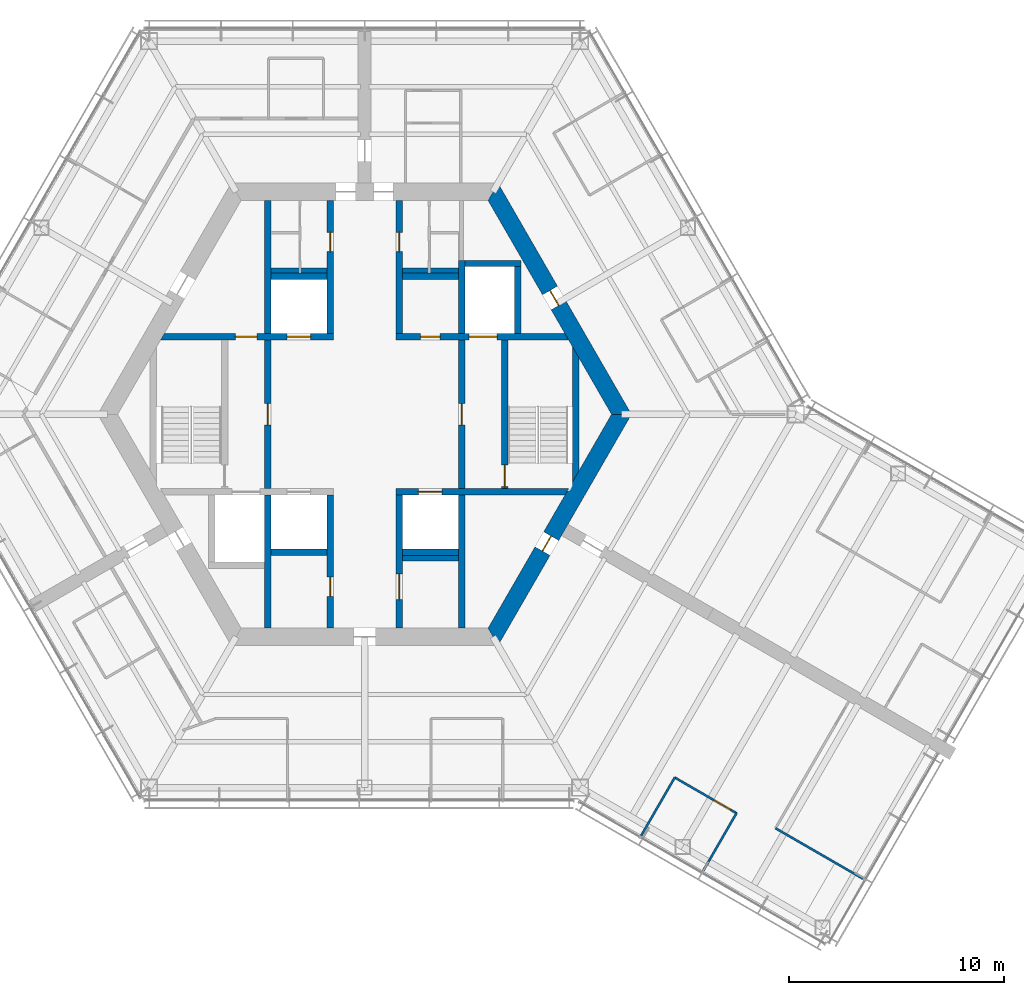
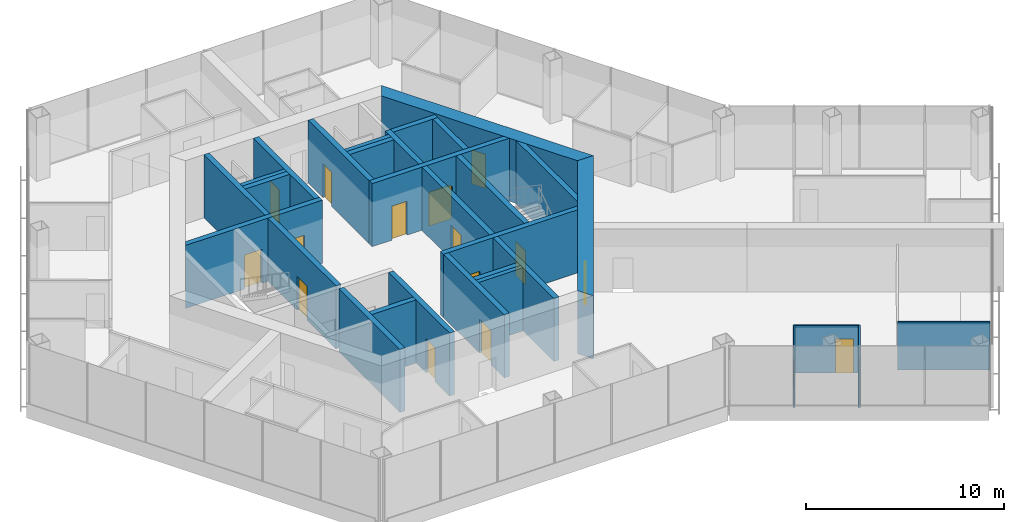
# One storey, part 11 of 16: 30 walls, 15 doors, 15 openings.
"""IFC4 building model written with IfcOpenShell, lengths in metres."""

from ifc_helpers import new_model, si_unit, direction, frame, frame_2d, origin, place, context, subcontext, project, spatial, polyline, rectangle, outline, extrude, material, layer, layer_set, type_object, element, fill, save


model = new_model("IFC4")

# Units and contexts
model_context = context("Model", 3, precision=1e-05, world=origin(), true_north=direction((0.0, 1.0)))
body_context = subcontext(model_context, "Body", "Model", "MODEL_VIEW")
ifc_project = project(units=[si_unit("LENGTHUNIT", "METRE"), si_unit("AREAUNIT", "SQUARE_METRE"), si_unit("VOLUMEUNIT", "CUBIC_METRE"), si_unit("PLANEANGLEUNIT", "RADIAN"), si_unit("MASSUNIT", "GRAM", prefix="KILO")], contexts=[model_context])

# Site, building, storey
site_placement = place(None, origin())
site = spatial("IfcSite", under=ifc_project, at=site_placement, CompositionType="ELEMENT")
building_placement = place(site_placement, origin())
building = spatial("IfcBuilding", under=site, at=building_placement, Name="Kasaneha Research Tower", CompositionType="ELEMENT")
storey_placement = place(building_placement, frame((0.0, 0.0, 255.699951171875)))
storey = spatial("IfcBuildingStorey", under=building, at=storey_placement, Name="L64", CompositionType="ELEMENT", Elevation=255.699951171875)

# Wall, openings, doors
ifc_material_1 = material(Name="Concrete Fc60", Category="concrete")
ifc_layer_1 = layer(ifc_material_1, 0.300048828125)
ifc_layer_set_1 = layer_set([ifc_layer_1], Name="Core internal wall 300 Fc60")
wall_type_1 = type_object("IfcWallType", Name="Core internal wall 300 Fc60", PredefinedType="SHEAR", material=ifc_layer_set_1)
wall_1_placement = place(storey_placement, frame((-9.3818359375, 3.60009765625, 0.0), z_axis=(0.0, 0.0, 1.0), x_axis=(1.0, 0.0, 0.0)))
wall_1 = element("IfcWall", 1, at=wall_1_placement, inside=storey, type_object=wall_type_1, Name="Core wall W1W L64", PredefinedType="SHEAR", context=body_context, shape_type="SweptSolid", body=[
    extrude(outline(polyline([(-0.086669921875, -0.14990234375), (3.3818359375, -0.14990234375), (4.3818359375, -0.14990234375), (5.781982421875, -0.14990234375), (6.882080078125, -0.14990234375), (7.931884765625, -0.14990234375), (7.931884765625, 0.14990234375), (6.882080078125, 0.14990234375), (5.781982421875, 0.14990234375), (4.3818359375, 0.14990234375), (3.3818359375, 0.14990234375), (0.086669921875, 0.14990234375), (-0.086669921875, -0.14990234375)])), origin(), (0.0, 0.0, 1.0), 3.900146484375),
])
opening_1_placement = place(wall_1_placement, frame((3.3818359375, 0.0, 0.0)))
opening_1 = element("IfcOpeningElement", 2, at=opening_1_placement, cuts=wall_1, Name="Opening L64-D12", PredefinedType="OPENING", context=body_context, shape_type="SweptSolid", body=[
    extrude(rectangle(XDim=1.0, YDim=2.10009765625, at=frame_2d((0.5, 1.050048828125))), frame((0.0, 0.16015625, 0.0), z_axis=(0.0, -1.0, 0.0), x_axis=(1.0, 0.0, 0.0)), (0.0, 0.0, 1.0), 0.320068359375),
])
opening_2_placement = place(wall_1_placement, frame((5.781982421875, 0.0, 0.0)))
opening_2 = element("IfcOpeningElement", 3, at=opening_2_placement, cuts=wall_1, Name="Opening LD-LH2-L64", PredefinedType="OPENING", context=body_context, shape_type="SweptSolid", body=[
    extrude(rectangle(XDim=1.10009765625, YDim=2.10009765625, at=frame_2d((0.550048828125, 1.050048828125))), frame((0.0, 0.16015625, 0.0), z_axis=(0.0, -1.0, 0.0), x_axis=(1.0, 0.0, 0.0)), (0.0, 0.0, 1.0), 0.320068359375),
])
ifc_material_2 = material(Name="Steel", Category="steel")
door_type_1 = type_object("IfcDoorType", Name="Lift landing door 1100x2100", OperationType="DOUBLE_DOOR_SLIDING", PredefinedType="DOOR", material=ifc_material_2)
door_1_placement = place(opening_2_placement, origin())
door_1 = element("IfcDoor", 4, at=door_1_placement, inside=storey, type_object=door_type_1, Name="Landing door LH2 LD-LH2-L64", OperationType="DOUBLE_DOOR_SLIDING", OverallHeight=2.10009765625, OverallWidth=1.10009765625, PredefinedType="DOOR", context=body_context, shape_type="SweptSolid", body=[
    extrude(rectangle(XDim=1.10009765625, YDim=2.10009765625, at=frame_2d((0.550048828125, 1.050048828125))), frame((0.0, 0.02490234375, 0.0), z_axis=(0.0, -1.0, 0.0), x_axis=(1.0, 0.0, 0.0)), (0.0, 0.0, 1.0), 0.050048828125),
])
fill(opening_2, door_1)
ifc_material_3 = material(Name="Steel", Category="steel")
door_type_2 = type_object("IfcDoorType", Name="Specified fire door FD60 1000x2100", OperationType="NOTDEFINED", PredefinedType="DOOR", material=ifc_material_3)
door_2_placement = place(opening_1_placement, origin())
door_2 = element("IfcDoor", 5, at=door_2_placement, inside=storey, type_object=door_type_2, Name="Vestibule to lobby door L64-D12", OperationType="SINGLE_SWING_LEFT", OverallHeight=2.10009765625, OverallWidth=1.0, PredefinedType="DOOR", context=body_context, shape_type="SweptSolid", body=[
    extrude(rectangle(XDim=1.0, YDim=2.10009765625, at=frame_2d((0.5, 1.050048828125))), frame((0.0, 0.02490234375, 0.0), z_axis=(0.0, -1.0, 0.0), x_axis=(1.0, 0.0, 0.0)), (0.0, 0.0, 1.0), 0.050048828125),
])
fill(opening_1, door_2)

wall_2_placement = place(storey_placement, frame((1.449951171875, 3.60009765625, 0.0), z_axis=(0.0, 0.0, 1.0), x_axis=(1.0, 0.0, 0.0)))
wall_2 = element("IfcWall", 6, at=wall_2_placement, inside=storey, type_object=wall_type_1, Name="Core wall W1E L64", PredefinedType="SHEAR", context=body_context, shape_type="SweptSolid", body=[
    extrude(outline(polyline([(0.0, -0.14990234375), (1.14990234375, -0.14990234375), (2.0498046875, -0.14990234375), (3.39990234375, -0.14990234375), (4.699951171875, -0.14990234375), (8.0185546875, -0.14990234375), (7.84521484375, 0.14990234375), (4.699951171875, 0.14990234375), (3.39990234375, 0.14990234375), (2.0498046875, 0.14990234375), (1.14990234375, 0.14990234375), (0.0, 0.14990234375), (0.0, -0.14990234375)])), origin(), (0.0, 0.0, 1.0), 3.900146484375),
])
opening_3_placement = place(wall_2_placement, frame((1.14990234375, 0.0, 0.0)))
opening_3 = element("IfcOpeningElement", 7, at=opening_3_placement, cuts=wall_2, Name="Opening L64-D17", PredefinedType="OPENING", context=body_context, shape_type="SweptSolid", body=[
    extrude(rectangle(XDim=0.89990234375, YDim=2.10009765625, at=frame_2d((0.449951171875, 1.050048828125))), frame((0.0, 0.16015625, 0.0), z_axis=(0.0, -1.0, 0.0), x_axis=(1.0, 0.0, 0.0)), (0.0, 0.0, 1.0), 0.320068359375),
])
opening_4_placement = place(wall_2_placement, frame((3.39990234375, 0.0, 0.0)))
opening_4 = element("IfcOpeningElement", 8, at=opening_4_placement, cuts=wall_2, Name="Opening LD-FL1-L64", PredefinedType="OPENING", context=body_context, shape_type="SweptSolid", body=[
    extrude(rectangle(XDim=1.300048828125, YDim=2.10009765625, at=frame_2d((0.64990234375, 1.050048828125))), frame((0.0, 0.16015625, 0.0), z_axis=(0.0, -1.0, 0.0), x_axis=(1.0, 0.0, 0.0)), (0.0, 0.0, 1.0), 0.320068359375),
])
ifc_material_4 = material(Name="Steel", Category="steel")
door_type_3 = type_object("IfcDoorType", Name="Lift landing door 1300x2100", OperationType="DOUBLE_DOOR_SLIDING", PredefinedType="DOOR", material=ifc_material_4)
door_3_placement = place(opening_4_placement, origin())
door_3 = element("IfcDoor", 9, at=door_3_placement, inside=storey, type_object=door_type_3, Name="Landing door FL1 LD-FL1-L64", OperationType="DOUBLE_DOOR_SLIDING", OverallHeight=2.10009765625, OverallWidth=1.300048828125, PredefinedType="DOOR", context=body_context, shape_type="SweptSolid", body=[
    extrude(rectangle(XDim=1.300048828125, YDim=2.10009765625, at=frame_2d((0.64990234375, 1.050048828125))), frame((0.0, 0.02490234375, 0.0), z_axis=(0.0, -1.0, 0.0), x_axis=(1.0, 0.0, 0.0)), (0.0, 0.0, 1.0), 0.050048828125),
])
fill(opening_4, door_3)
ifc_material_5 = material(Name="Steel", Category="steel")
door_type_4 = type_object("IfcDoorType", Name="Shaft room door FD60 900x2100", OperationType="NOTDEFINED", PredefinedType="DOOR", material=ifc_material_5)
door_4_placement = place(opening_3_placement, origin())
door_4 = element("IfcDoor", 10, at=door_4_placement, inside=storey, type_object=door_type_4, Name="Archive store door L64-D17", OperationType="SINGLE_SWING_LEFT", OverallHeight=2.10009765625, OverallWidth=0.89990234375, PredefinedType="DOOR", context=body_context, shape_type="SweptSolid", body=[
    extrude(rectangle(XDim=0.89990234375, YDim=2.10009765625, at=frame_2d((0.449951171875, 1.050048828125))), frame((0.0, 0.02490234375, 0.0), z_axis=(0.0, -1.0, 0.0), x_axis=(1.0, 0.0, 0.0)), (0.0, 0.0, 1.0), 0.050048828125),
])
fill(opening_3, door_4)

# Wall, opening, door
wall_3_placement = place(storey_placement, frame((1.449951171875, -3.60009765625, 0.0), z_axis=(0.0, 0.0, 1.0), x_axis=(1.0, 0.0, 0.0)))
wall_3 = element("IfcWall", 11, at=wall_3_placement, inside=storey, type_object=wall_type_1, Name="Core wall W2E L64", PredefinedType="SHEAR", context=body_context, shape_type="SweptSolid", body=[
    extrude(outline(polyline([(0.0, -0.14990234375), (1.050048828125, -0.14990234375), (2.150146484375, -0.14990234375), (7.84521484375, -0.14990234375), (8.0185546875, 0.14990234375), (2.150146484375, 0.14990234375), (1.050048828125, 0.14990234375), (0.0, 0.14990234375), (0.0, -0.14990234375)])), origin(), (0.0, 0.0, 1.0), 3.900146484375),
])
opening_5_placement = place(wall_3_placement, frame((1.050048828125, 0.0, 0.0)))
opening_5 = element("IfcOpeningElement", 12, at=opening_5_placement, cuts=wall_3, Name="Opening LD-LH3-L64", PredefinedType="OPENING", context=body_context, shape_type="SweptSolid", body=[
    extrude(rectangle(XDim=1.10009765625, YDim=2.10009765625, at=frame_2d((0.550048828125, 1.050048828125))), frame((0.0, 0.16015625, 0.0), z_axis=(0.0, -1.0, 0.0), x_axis=(1.0, 0.0, 0.0)), (0.0, 0.0, 1.0), 0.320068359375),
])
door_5_placement = place(opening_5_placement, origin())
door_5 = element("IfcDoor", 13, at=door_5_placement, inside=storey, type_object=door_type_1, Name="Landing door LH3 LD-LH3-L64", OperationType="DOUBLE_DOOR_SLIDING", OverallHeight=2.10009765625, OverallWidth=1.10009765625, PredefinedType="DOOR", context=body_context, shape_type="SweptSolid", body=[
    extrude(rectangle(XDim=1.10009765625, YDim=2.10009765625, at=frame_2d((0.550048828125, 1.050048828125))), frame((0.0, 0.02490234375, 0.0), z_axis=(0.0, -1.0, 0.0), x_axis=(1.0, 0.0, 0.0)), (0.0, 0.0, 1.0), 0.050048828125),
])
fill(opening_5, door_5)

wall_4_placement = place(storey_placement, frame((-1.60009765625, 3.75, 0.0), z_axis=(0.0, 0.0, 1.0), x_axis=(0.0, 1.0, 0.0)))
wall_4 = element("IfcWall", 14, at=wall_4_placement, inside=storey, type_object=wall_type_1, Name="Core wall CNW L64", PredefinedType="SHEAR", context=body_context, shape_type="SweptSolid", body=[
    extrude(rectangle(XDim=6.175048828125, YDim=0.300048828125, at=frame_2d((3.08740234375, 0.0))), origin(), (0.0, 0.0, 1.0), 3.900146484375),
])
opening_6_placement = place(wall_4_placement, frame((3.800048828125, 0.0, 0.0)))
opening_6 = element("IfcOpeningElement", 15, at=opening_6_placement, cuts=wall_4, Name="Opening L64-D13", PredefinedType="OPENING", context=body_context, shape_type="SweptSolid", body=[
    extrude(rectangle(XDim=0.89990234375, YDim=2.10009765625, at=frame_2d((0.449951171875, 1.050048828125))), frame((0.0, 0.16015625, 0.0), z_axis=(0.0, -1.0, 0.0), x_axis=(1.0, 0.0, 0.0)), (0.0, 0.0, 1.0), 0.320068359375),
])
ifc_material_6 = material(Name="Steel", Category="steel")
door_type_5 = type_object("IfcDoorType", Name="Toilet door FD20 900x2100", OperationType="NOTDEFINED", PredefinedType="DOOR", material=ifc_material_6)
door_6_placement = place(opening_6_placement, origin())
door_6 = element("IfcDoor", 16, at=door_6_placement, inside=storey, type_object=door_type_5, Name="Men's WC door L64-D13", OperationType="SINGLE_SWING_LEFT", OverallHeight=2.10009765625, OverallWidth=0.89990234375, PredefinedType="DOOR", context=body_context, shape_type="SweptSolid", body=[
    extrude(rectangle(XDim=0.89990234375, YDim=2.10009765625, at=frame_2d((0.449951171875, 1.050048828125))), frame((0.0, 0.02490234375, 0.0), z_axis=(0.0, -1.0, 0.0), x_axis=(1.0, 0.0, 0.0)), (0.0, 0.0, 1.0), 0.050048828125),
])
fill(opening_6, door_6)

wall_5_placement = place(storey_placement, frame((1.60009765625, 3.75, 0.0), z_axis=(0.0, 0.0, 1.0), x_axis=(0.0, 1.0, 0.0)))
wall_5 = element("IfcWall", 17, at=wall_5_placement, inside=storey, type_object=wall_type_1, Name="Core wall CNE L64", PredefinedType="SHEAR", context=body_context, shape_type="SweptSolid", body=[
    extrude(rectangle(XDim=6.175048828125, YDim=0.300048828125, at=frame_2d((3.08740234375, 0.0))), origin(), (0.0, 0.0, 1.0), 3.900146484375),
])
opening_7_placement = place(wall_5_placement, frame((3.800048828125, 0.0, 0.0)))
opening_7 = element("IfcOpeningElement", 18, at=opening_7_placement, cuts=wall_5, Name="Opening L64-D14", PredefinedType="OPENING", context=body_context, shape_type="SweptSolid", body=[
    extrude(rectangle(XDim=0.89990234375, YDim=2.10009765625, at=frame_2d((0.449951171875, 1.050048828125))), frame((0.0, 0.16015625, 0.0), z_axis=(0.0, -1.0, 0.0), x_axis=(1.0, 0.0, 0.0)), (0.0, 0.0, 1.0), 0.320068359375),
])
door_7_placement = place(opening_7_placement, origin())
door_7 = element("IfcDoor", 19, at=door_7_placement, inside=storey, type_object=door_type_5, Name="Women's WC door L64-D14", OperationType="SINGLE_SWING_LEFT", OverallHeight=2.10009765625, OverallWidth=0.89990234375, PredefinedType="DOOR", context=body_context, shape_type="SweptSolid", body=[
    extrude(rectangle(XDim=0.89990234375, YDim=2.10009765625, at=frame_2d((0.449951171875, 1.050048828125))), frame((0.0, 0.02490234375, 0.0), z_axis=(0.0, -1.0, 0.0), x_axis=(1.0, 0.0, 0.0)), (0.0, 0.0, 1.0), 0.050048828125),
])
fill(opening_7, door_7)

wall_6_placement = place(storey_placement, frame((-1.60009765625, -3.75, 0.0), z_axis=(0.0, 0.0, 1.0), x_axis=(0.0, -1.0, 0.0)))
wall_6 = element("IfcWall", 20, at=wall_6_placement, inside=storey, type_object=wall_type_1, Name="Core wall CSW L64", PredefinedType="SHEAR", context=body_context, shape_type="SweptSolid", body=[
    extrude(rectangle(XDim=6.175048828125, YDim=0.300048828125, at=frame_2d((3.08740234375, 0.0))), origin(), (0.0, 0.0, 1.0), 3.900146484375),
])
opening_8_placement = place(wall_6_placement, frame((3.800048828125, 0.0, 0.0)))
opening_8 = element("IfcOpeningElement", 21, at=opening_8_placement, cuts=wall_6, Name="Opening L64-D16", PredefinedType="OPENING", context=body_context, shape_type="SweptSolid", body=[
    extrude(rectangle(XDim=0.89990234375, YDim=2.10009765625, at=frame_2d((0.449951171875, 1.050048828125))), frame((0.0, 0.16015625, 0.0), z_axis=(0.0, -1.0, 0.0), x_axis=(1.0, 0.0, 0.0)), (0.0, 0.0, 1.0), 0.320068359375),
])
ifc_material_7 = material(Name="Steel", Category="steel")
door_type_6 = type_object("IfcDoorType", Name="Riser access door FD60 900x2100", OperationType="NOTDEFINED", PredefinedType="DOOR", material=ifc_material_7)
door_8_placement = place(opening_8_placement, origin())
door_8 = element("IfcDoor", 22, at=door_8_placement, inside=storey, type_object=door_type_6, Name="Electrical riser door L64-D16", OperationType="SINGLE_SWING_LEFT", OverallHeight=2.10009765625, OverallWidth=0.89990234375, PredefinedType="DOOR", context=body_context, shape_type="SweptSolid", body=[
    extrude(rectangle(XDim=0.89990234375, YDim=2.10009765625, at=frame_2d((0.449951171875, 1.050048828125))), frame((0.0, 0.02490234375, 0.0), z_axis=(0.0, -1.0, 0.0), x_axis=(1.0, 0.0, 0.0)), (0.0, 0.0, 1.0), 0.050048828125),
])
fill(opening_8, door_8)

wall_7_placement = place(storey_placement, frame((1.60009765625, -3.75, 0.0), z_axis=(0.0, 0.0, 1.0), x_axis=(0.0, -1.0, 0.0)))
wall_7 = element("IfcWall", 23, at=wall_7_placement, inside=storey, type_object=wall_type_1, Name="Core wall CSE L64", PredefinedType="SHEAR", context=body_context, shape_type="SweptSolid", body=[
    extrude(rectangle(XDim=6.175048828125, YDim=0.300048828125, at=frame_2d((3.08740234375, 0.0))), origin(), (0.0, 0.0, 1.0), 3.900146484375),
])
opening_9_placement = place(wall_7_placement, frame((3.64990234375, 0.0, 0.0)))
opening_9 = element("IfcOpeningElement", 24, at=opening_9_placement, cuts=wall_7, Name="Opening L64-D15", PredefinedType="OPENING", context=body_context, shape_type="SweptSolid", body=[
    extrude(rectangle(XDim=1.199951171875, YDim=2.10009765625, at=frame_2d((0.60009765625, 1.050048828125))), frame((0.0, 0.16015625, 0.0), z_axis=(0.0, -1.0, 0.0), x_axis=(1.0, 0.0, 0.0)), (0.0, 0.0, 1.0), 0.320068359375),
])
ifc_material_8 = material(Name="Steel", Category="steel")
door_type_7 = type_object("IfcDoorType", Name="Accessible toilet sliding door FD20 1200x2100", OperationType="SLIDING_TO_LEFT", PredefinedType="DOOR", material=ifc_material_8)
door_9_placement = place(opening_9_placement, origin())
door_9 = element("IfcDoor", 25, at=door_9_placement, inside=storey, type_object=door_type_7, Name="Accessible WC door L64-D15", OperationType="SLIDING_TO_LEFT", OverallHeight=2.10009765625, OverallWidth=1.199951171875, PredefinedType="DOOR", context=body_context, shape_type="SweptSolid", body=[
    extrude(rectangle(XDim=1.199951171875, YDim=2.10009765625, at=frame_2d((0.60009765625, 1.050048828125))), frame((0.0, 0.02490234375, 0.0), z_axis=(0.0, -1.0, 0.0), x_axis=(1.0, 0.0, 0.0)), (0.0, 0.0, 1.0), 0.050048828125),
])
fill(opening_9, door_9)

wall_8_placement = place(storey_placement, frame((-4.5, -3.449951171875, 0.0), z_axis=(0.0, 0.0, 1.0), x_axis=(0.0, 1.0, 0.0)))
wall_8 = element("IfcWall", 26, at=wall_8_placement, inside=storey, type_object=wall_type_1, Name="Core wall LBW L64", PredefinedType="SHEAR", context=body_context, shape_type="SweptSolid", body=[
    extrude(rectangle(XDim=6.89990234375, YDim=0.300048828125, at=frame_2d((3.449951171875, 0.0))), origin(), (0.0, 0.0, 1.0), 3.900146484375),
])
opening_10_placement = place(wall_8_placement, frame((2.949951171875, 0.0, 0.0)))
opening_10 = element("IfcOpeningElement", 27, at=opening_10_placement, cuts=wall_8, Name="Opening L64-D09", PredefinedType="OPENING", context=body_context, shape_type="SweptSolid", body=[
    extrude(rectangle(XDim=1.0, YDim=2.10009765625, at=frame_2d((0.5, 1.050048828125))), frame((0.0, 0.16015625, 0.0), z_axis=(0.0, -1.0, 0.0), x_axis=(1.0, 0.0, 0.0)), (0.0, 0.0, 1.0), 0.320068359375),
])
door_10_placement = place(opening_10_placement, origin())
door_10 = element("IfcDoor", 28, at=door_10_placement, inside=storey, type_object=door_type_2, Name="Lift lobby door west L64-D09", OperationType="SINGLE_SWING_LEFT", OverallHeight=2.10009765625, OverallWidth=1.0, PredefinedType="DOOR", context=body_context, shape_type="SweptSolid", body=[
    extrude(rectangle(XDim=1.0, YDim=2.10009765625, at=frame_2d((0.5, 1.050048828125))), frame((0.0, 0.02490234375, 0.0), z_axis=(0.0, -1.0, 0.0), x_axis=(1.0, 0.0, 0.0)), (0.0, 0.0, 1.0), 0.050048828125),
])
fill(opening_10, door_10)

wall_9_placement = place(storey_placement, frame((4.5, -3.449951171875, 0.0), z_axis=(0.0, 0.0, 1.0), x_axis=(0.0, 1.0, 0.0)))
wall_9 = element("IfcWall", 29, at=wall_9_placement, inside=storey, type_object=wall_type_1, Name="Core wall LBE L64", PredefinedType="SHEAR", context=body_context, shape_type="SweptSolid", body=[
    extrude(rectangle(XDim=6.89990234375, YDim=0.300048828125, at=frame_2d((3.449951171875, 0.0))), origin(), (0.0, 0.0, 1.0), 3.900146484375),
])
opening_11_placement = place(wall_9_placement, frame((2.949951171875, 0.0, 0.0)))
opening_11 = element("IfcOpeningElement", 30, at=opening_11_placement, cuts=wall_9, Name="Opening L64-D08", PredefinedType="OPENING", context=body_context, shape_type="SweptSolid", body=[
    extrude(rectangle(XDim=1.0, YDim=2.10009765625, at=frame_2d((0.5, 1.050048828125))), frame((0.0, 0.16015625, 0.0), z_axis=(0.0, -1.0, 0.0), x_axis=(1.0, 0.0, 0.0)), (0.0, 0.0, 1.0), 0.320068359375),
])
door_11_placement = place(opening_11_placement, origin())
door_11 = element("IfcDoor", 31, at=door_11_placement, inside=storey, type_object=door_type_2, Name="Lift lobby door east L64-D08", OperationType="SINGLE_SWING_LEFT", OverallHeight=2.10009765625, OverallWidth=1.0, PredefinedType="DOOR", context=body_context, shape_type="SweptSolid", body=[
    extrude(rectangle(XDim=1.0, YDim=2.10009765625, at=frame_2d((0.5, 1.050048828125))), frame((0.0, 0.02490234375, 0.0), z_axis=(0.0, -1.0, 0.0), x_axis=(1.0, 0.0, 0.0)), (0.0, 0.0, 1.0), 0.050048828125),
])
fill(opening_11, door_11)

wall_10_placement = place(storey_placement, frame((6.5, -3.449951171875, 0.0), z_axis=(0.0, 0.0, 1.0), x_axis=(0.0, 1.0, 0.0)))
wall_10 = element("IfcWall", 32, at=wall_10_placement, inside=storey, type_object=wall_type_1, Name="Core wall ANE L64", PredefinedType="SHEAR", context=body_context, shape_type="SweptSolid", body=[
    extrude(rectangle(XDim=6.89990234375, YDim=0.300048828125, at=frame_2d((3.449951171875, 0.0))), origin(), (0.0, 0.0, 1.0), 3.900146484375),
])
opening_12_placement = place(wall_10_placement, frame((0.10009765625, 0.0, 0.0)))
opening_12 = element("IfcOpeningElement", 33, at=opening_12_placement, cuts=wall_10, Name="Opening L64-D10", PredefinedType="OPENING", context=body_context, shape_type="SweptSolid", body=[
    extrude(rectangle(XDim=1.0, YDim=2.10009765625, at=frame_2d((0.5, 1.050048828125))), frame((0.0, 0.16015625, 0.0), z_axis=(0.0, -1.0, 0.0), x_axis=(1.0, 0.0, 0.0)), (0.0, 0.0, 1.0), 0.320068359375),
])
door_12_placement = place(opening_12_placement, origin())
door_12 = element("IfcDoor", 34, at=door_12_placement, inside=storey, type_object=door_type_2, Name="Stair 1 door L64-D10", OperationType="SINGLE_SWING_LEFT", OverallHeight=2.10009765625, OverallWidth=1.0, PredefinedType="DOOR", context=body_context, shape_type="SweptSolid", body=[
    extrude(rectangle(XDim=1.0, YDim=2.10009765625, at=frame_2d((0.5, 1.050048828125))), frame((0.0, 0.02490234375, 0.0), z_axis=(0.0, -1.0, 0.0), x_axis=(1.0, 0.0, 0.0)), (0.0, 0.0, 1.0), 0.050048828125),
])
fill(opening_12, door_12)

# Walls
wall_11_placement = place(storey_placement, frame((-4.5, 3.75, 0.0), z_axis=(0.0, 0.0, 1.0), x_axis=(0.0, 1.0, 0.0)))
element("IfcWall", 35, at=wall_11_placement, inside=storey, type_object=wall_type_1, Name="Core wall VNW L64", PredefinedType="SHEAR", context=body_context, shape_type="SweptSolid", body=[
    extrude(rectangle(XDim=6.175048828125, YDim=0.300048828125, at=frame_2d((3.08740234375, 0.0))), origin(), (0.0, 0.0, 1.0), 3.900146484375),
])
wall_12_placement = place(storey_placement, frame((4.5, 3.75, 0.0), z_axis=(0.0, 0.0, 1.0), x_axis=(0.0, 1.0, 0.0)))
element("IfcWall", 36, at=wall_12_placement, inside=storey, type_object=wall_type_1, Name="Core wall FNE L64", PredefinedType="SHEAR", context=body_context, shape_type="SweptSolid", body=[
    extrude(rectangle(XDim=3.39990234375, YDim=0.300048828125, at=frame_2d((1.699951171875, 0.0))), origin(), (0.0, 0.0, 1.0), 3.900146484375),
])
for number, where, z_axis, x_axis, name in (
    (37, (-4.5, -3.75, 0.0), (0.0, 0.0, 1.0), (0.0, -1.0, 0.0), "Core wall SSW L64"),
    (38, (4.5, -3.75, 0.0), (0.0, 0.0, 1.0), (0.0, -1.0, 0.0), "Core wall SSE L64"),
):
    element("IfcWall", number, at=place(storey_placement, frame(where, z_axis=z_axis, x_axis=x_axis)), inside=storey, type_object=wall_type_1, Name=name, PredefinedType="SHEAR", context=body_context, shape_type="SweptSolid", body=[
        extrude(rectangle(XDim=6.175048828125, YDim=0.300048828125, at=frame_2d((3.08740234375, 0.0))), origin(), (0.0, 0.0, 1.0), 3.900146484375),
    ])
for number, where, z_axis, x_axis, name in (
    (39, (-4.35009765625, 6.39990234375, 0.0), (0.0, 0.0, 1.0), (1.0, 0.0, 0.0), "Core wall N1N L64"),
    (40, (1.75, 6.39990234375, 0.0), (0.0, 0.0, 1.0), (1.0, 0.0, 0.0), "Core wall N3N L64"),
    (41, (-4.35009765625, -6.39990234375, 0.0), (0.0, 0.0, 1.0), (1.0, 0.0, 0.0), "Core wall S1S L64"),
    (42, (1.75, -6.39990234375, 0.0), (0.0, 0.0, 1.0), (1.0, 0.0, 0.0), "Core wall S3S L64"),
    (43, (4.64990234375, 7.0, 0.0), (0.0, 0.0, 1.0), (1.0, 0.0, 0.0), "Core wall F1N L64"),
):
    element("IfcWall", number, at=place(storey_placement, frame(where, z_axis=z_axis, x_axis=x_axis)), inside=storey, type_object=wall_type_1, Name=name, PredefinedType="SHEAR", context=body_context, shape_type="SweptSolid", body=[
        extrude(rectangle(XDim=2.60009765625, YDim=0.300048828125, at=frame_2d((1.300048828125, 0.0))), origin(), (0.0, 0.0, 1.0), 3.900146484375),
    ])
wall_13_placement = place(storey_placement, frame((7.10009765625, 3.75, 0.0), z_axis=(0.0, 0.0, 1.0), x_axis=(0.0, 1.0, 0.0)))
element("IfcWall", 44, at=wall_13_placement, inside=storey, type_object=wall_type_1, Name="Core wall F1E L64", PredefinedType="SHEAR", context=body_context, shape_type="SweptSolid", body=[
    extrude(rectangle(XDim=3.10009765625, YDim=0.300048828125, at=frame_2d((1.550048828125, 0.0))), origin(), (0.0, 0.0, 1.0), 3.900146484375),
])
wall_14_placement = place(storey_placement, frame((9.807861328125, -2.8623046875, 0.0), z_axis=(0.0, 0.0, 1.0), x_axis=(0.0, 1.0, 0.0)))
element("IfcWall", 45, at=wall_14_placement, inside=storey, type_object=wall_type_1, Name="Core wall STE L64", PredefinedType="SHEAR", context=body_context, shape_type="SweptSolid", body=[
    extrude(outline(polyline([(0.259765625, -0.14990234375), (5.46484375, -0.14990234375), (5.984375, 0.14990234375), (-0.259765625, 0.14990234375), (0.259765625, -0.14990234375)])), origin(), (0.0, 0.0, 1.0), 3.900146484375),
])

# Wall, opening, door
ifc_material_9 = material(Name="Concrete Fc60", Category="concrete")
ifc_layer_2 = layer(ifc_material_9, 0.800048828125)
ifc_layer_set_2 = layer_set([ifc_layer_2], Name="Core wall 800 Fc60")
wall_type_2 = type_object("IfcWallType", Name="Core wall 800 Fc60", PredefinedType="SHEAR", material=ifc_layer_set_2)
wall_15_placement = place(storey_placement, frame((11.92236328125, 0.0, 0.0), z_axis=(0.0, 0.0, 1.0), x_axis=(-0.500004296715, 0.866022923061, 0.0)))
wall_15 = element("IfcWall", 46, at=wall_15_placement, inside=storey, type_object=wall_type_2, Name="Core wall 030 L64", PredefinedType="SHEAR", context=body_context, shape_type="SweptSolid", body=[
    extrude(outline(polyline([(-0.23095703125, -0.39990234375), (5.83544921875, -0.39990234375), (6.635498046875, -0.39990234375), (12.1533203125, -0.39990234375), (11.69140625, 0.39990234375), (6.635498046875, 0.39990234375), (5.83544921875, 0.39990234375), (0.23095703125, 0.39990234375), (-0.23095703125, -0.39990234375)])), origin(), (0.0, 0.0, 1.0), 3.900146484375),
])
opening_13_placement = place(wall_15_placement, frame((5.83544921875, 0.0, 0.0)))
opening_13 = element("IfcOpeningElement", 47, at=opening_13_placement, cuts=wall_15, Name="Opening L64-D04", PredefinedType="OPENING", context=body_context, shape_type="SweptSolid", body=[
    extrude(rectangle(XDim=0.800048828125, YDim=2.10009765625, at=frame_2d((0.39990234375, 1.050048828125))), frame((0.0, 0.41015625, 0.0), z_axis=(0.0, -1.0, 0.0), x_axis=(1.0, 0.0, 0.0)), (0.0, 0.0, 1.0), 0.820068359375),
])
ifc_material_10 = material(Name="Steel", Category="steel")
door_type_8 = type_object("IfcDoorType", Name="Riser access door FD60 800x2100", OperationType="NOTDEFINED", PredefinedType="DOOR", material=ifc_material_10)
door_13_placement = place(opening_13_placement, origin())
door_13 = element("IfcDoor", 48, at=door_13_placement, inside=storey, type_object=door_type_8, Name="Pipe riser door L64-D04", OperationType="SINGLE_SWING_RIGHT", OverallHeight=2.10009765625, OverallWidth=0.800048828125, PredefinedType="DOOR", context=body_context, shape_type="SweptSolid", body=[
    extrude(rectangle(XDim=0.800048828125, YDim=2.10009765625, at=frame_2d((0.39990234375, 1.050048828125))), frame((0.0, 0.02490234375, 0.0), z_axis=(0.0, -1.0, 0.0), x_axis=(1.0, 0.0, 0.0)), (0.0, 0.0, 1.0), 0.050048828125),
])
fill(opening_13, door_13)

wall_16_placement = place(storey_placement, frame((5.961181640625, -10.324951171875, 0.0), z_axis=(0.0, 0.0, 1.0), x_axis=(0.500004296715, 0.866022923061, 0.0)))
wall_16 = element("IfcWall", 49, at=wall_16_placement, inside=storey, type_object=wall_type_2, Name="Core wall 330 L64", PredefinedType="SHEAR", context=body_context, shape_type="SweptSolid", body=[
    extrude(outline(polyline([(-0.23095703125, -0.39990234375), (4.593994140625, -0.39990234375), (5.39404296875, -0.39990234375), (12.1533203125, -0.39990234375), (11.69140625, 0.39990234375), (5.39404296875, 0.39990234375), (4.593994140625, 0.39990234375), (0.23095703125, 0.39990234375), (-0.23095703125, -0.39990234375)])), origin(), (0.0, 0.0, 1.0), 3.900146484375),
])
opening_14_placement = place(wall_16_placement, frame((4.593994140625, 0.0, 0.0)))
opening_14 = element("IfcOpeningElement", 50, at=opening_14_placement, cuts=wall_16, Name="Opening L64-D05", PredefinedType="OPENING", context=body_context, shape_type="SweptSolid", body=[
    extrude(rectangle(XDim=0.800048828125, YDim=2.10009765625, at=frame_2d((0.39990234375, 1.050048828125))), frame((0.0, 0.41015625, 0.0), z_axis=(0.0, -1.0, 0.0), x_axis=(1.0, 0.0, 0.0)), (0.0, 0.0, 1.0), 0.820068359375),
])
door_14_placement = place(opening_14_placement, origin())
door_14 = element("IfcDoor", 51, at=door_14_placement, inside=storey, type_object=door_type_8, Name="Pipe riser door L64-D05", OperationType="SINGLE_SWING_LEFT", OverallHeight=2.10009765625, OverallWidth=0.800048828125, PredefinedType="DOOR", context=body_context, shape_type="SweptSolid", body=[
    extrude(rectangle(XDim=0.800048828125, YDim=2.10009765625, at=frame_2d((0.39990234375, 1.050048828125))), frame((0.0, 0.02490234375, 0.0), z_axis=(0.0, -1.0, 0.0), x_axis=(1.0, 0.0, 0.0)), (0.0, 0.0, 1.0), 0.050048828125),
])
fill(opening_14, door_14)

# Walls
ifc_material_11 = material(Name="Gypsum board on steel studs, one layer each side", Category="steel")
ifc_layer_3 = layer(ifc_material_11, 0.10009765625)
ifc_layer_set_3 = layer_set([ifc_layer_3], Name="Office partition 100")
wall_type_3 = type_object("IfcWallType", Name="Office partition 100", PredefinedType="PARTITIONING", material=ifc_layer_set_3)
wall_17_placement = place(storey_placement, frame((23.1240234375, -21.549072265625, 0.0), z_axis=(0.0, 0.0, 1.0), x_axis=(-0.86601618333, 0.500015969955, 0.0)))
element("IfcWall", 52, at=wall_17_placement, inside=storey, type_object=wall_type_3, Name="Office partition FCS08 L64", PredefinedType="PARTITIONING", context=body_context, shape_type="SweptSolid", body=[
    extrude(rectangle(XDim=4.679931640625, YDim=0.10009765625, at=frame_2d((2.33984375, 0.0))), origin(), (0.0, 0.0, 1.0), 2.949951171875),
])
wall_18_placement = place(storey_placement, frame((12.837158203125, -19.547607421875, 0.0), z_axis=(0.0, 0.0, 1.0), x_axis=(0.499946688677, 0.866056180903, 0.0)))
element("IfcWall", 53, at=wall_18_placement, inside=storey, type_object=wall_type_3, Name="Office partition FCS09 L64", PredefinedType="PARTITIONING", context=body_context, shape_type="SweptSolid", body=[
    extrude(rectangle(XDim=3.110107421875, YDim=0.10009765625, at=frame_2d((1.55517578125, 0.0))), origin(), (0.0, 0.0, 1.0), 2.949951171875),
])

# Wall, opening, door
wall_19_placement = place(storey_placement, frame((14.39208984375, -16.85400390625, 0.0), z_axis=(0.0, 0.0, 1.0), x_axis=(0.866014848099, -0.500018282537, 0.0)))
wall_19 = element("IfcWall", 54, at=wall_19_placement, inside=storey, type_object=wall_type_3, Name="Office partition FCS10 L64", PredefinedType="PARTITIONING", context=body_context, shape_type="SweptSolid", body=[
    extrude(rectangle(XDim=3.31005859375, YDim=0.10009765625, at=frame_2d((1.655029296875, 0.0))), origin(), (0.0, 0.0, 1.0), 2.949951171875),
])
opening_15_placement = place(wall_19_placement, frame((2.10986328125, 0.0, 0.0)))
opening_15 = element("IfcOpeningElement", 55, at=opening_15_placement, cuts=wall_19, Name="Opening L64-D44", PredefinedType="OPENING", context=body_context, shape_type="SweptSolid", body=[
    extrude(rectangle(XDim=0.89990234375, YDim=2.10009765625, at=frame_2d((0.449951171875, 1.050048828125))), frame((0.0, 0.06005859375, 0.0), z_axis=(0.0, -1.0, 0.0), x_axis=(1.0, 0.0, 0.0)), (0.0, 0.0, 1.0), 0.1201171875),
])
ifc_material_12 = material(Name="Timber veneer", Category="wood")
door_type_9 = type_object("IfcDoorType", Name="Office door 900x2100", OperationType="SINGLE_SWING_LEFT", PredefinedType="DOOR", material=ifc_material_12)
door_15_placement = place(opening_15_placement, origin())
door_15 = element("IfcDoor", 56, at=door_15_placement, inside=storey, type_object=door_type_9, Name="Workroom door L64-D44", OperationType="SINGLE_SWING_RIGHT", OverallHeight=2.10009765625, OverallWidth=0.89990234375, PredefinedType="DOOR", context=body_context, shape_type="SweptSolid", body=[
    extrude(rectangle(XDim=0.89990234375, YDim=2.10009765625, at=frame_2d((0.449951171875, 1.050048828125))), frame((0.0, 0.02490234375, 0.0), z_axis=(0.0, -1.0, 0.0), x_axis=(1.0, 0.0, 0.0)), (0.0, 0.0, 1.0), 0.050048828125),
])
fill(opening_15, door_15)

# Walls
wall_20_placement = place(storey_placement, frame((17.258544921875, -18.509033203125, 0.0), z_axis=(0.0, 0.0, 1.0), x_axis=(-0.499980678337, -0.866036558865, 0.0)))
element("IfcWall", 57, at=wall_20_placement, inside=storey, type_object=wall_type_3, Name="Office partition FCS11 L64", PredefinedType="PARTITIONING", context=body_context, shape_type="SweptSolid", body=[
    extrude(rectangle(XDim=3.10986328125, YDim=0.10009765625, at=frame_2d((1.554931640625, 0.0))), origin(), (0.0, 0.0, 1.0), 2.949951171875),
])
ifc_material_13 = material(Name="Concrete block lining", Category="concrete")
ifc_layer_4 = layer(ifc_material_13, 0.25)
ifc_layer_set_4 = layer_set([ifc_layer_4], Name="WC plumbing wall 250")
wall_type_4 = type_object("IfcWallType", Name="WC plumbing wall 250", PredefinedType="PLUMBINGWALL", material=ifc_layer_set_4)
for number, where, z_axis, x_axis, name in (
    (58, (-4.35009765625, 6.675048828125, 0.0), (0.0, 0.0, 1.0), (1.0, 0.0, 0.0), "WC plumbing wall M L64"),
    (59, (1.75, 6.675048828125, 0.0), (0.0, 0.0, 1.0), (1.0, 0.0, 0.0), "WC plumbing wall F L64"),
    (60, (1.75, -6.675048828125, 0.0), (0.0, 0.0, 1.0), (1.0, 0.0, 0.0), "WC plumbing wall A L64"),
):
    element("IfcWall", number, at=place(storey_placement, frame(where, z_axis=z_axis, x_axis=x_axis)), inside=storey, type_object=wall_type_4, Name=name, PredefinedType="PLUMBINGWALL", context=body_context, shape_type="SweptSolid", body=[
        extrude(rectangle(XDim=2.60009765625, YDim=0.25, at=frame_2d((1.300048828125, 0.0))), origin(), (0.0, 0.0, 1.0), 3.900146484375),
    ])

save(model, "model.ifc")
